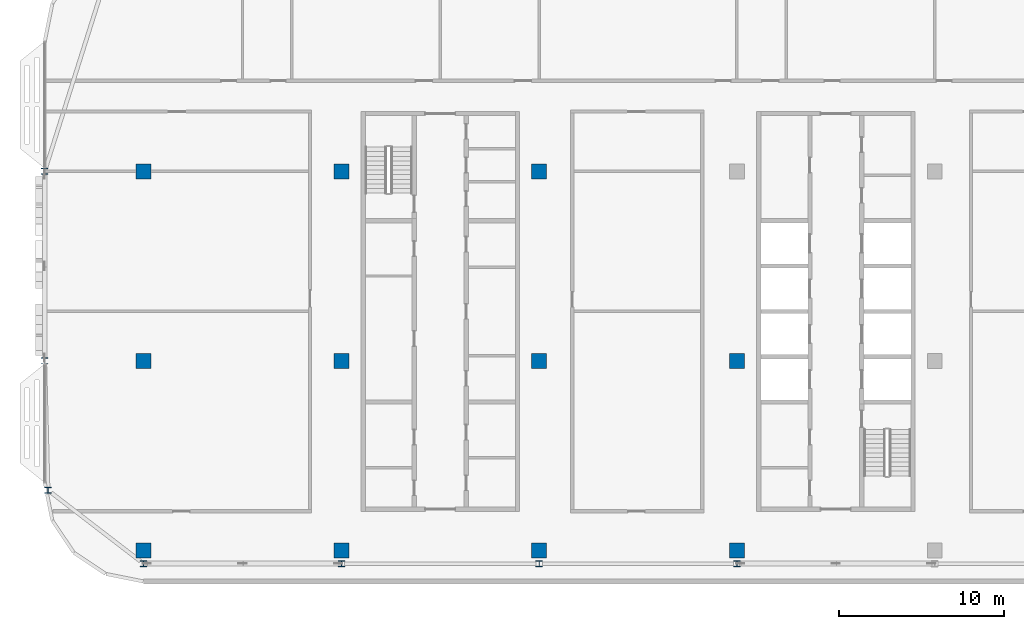
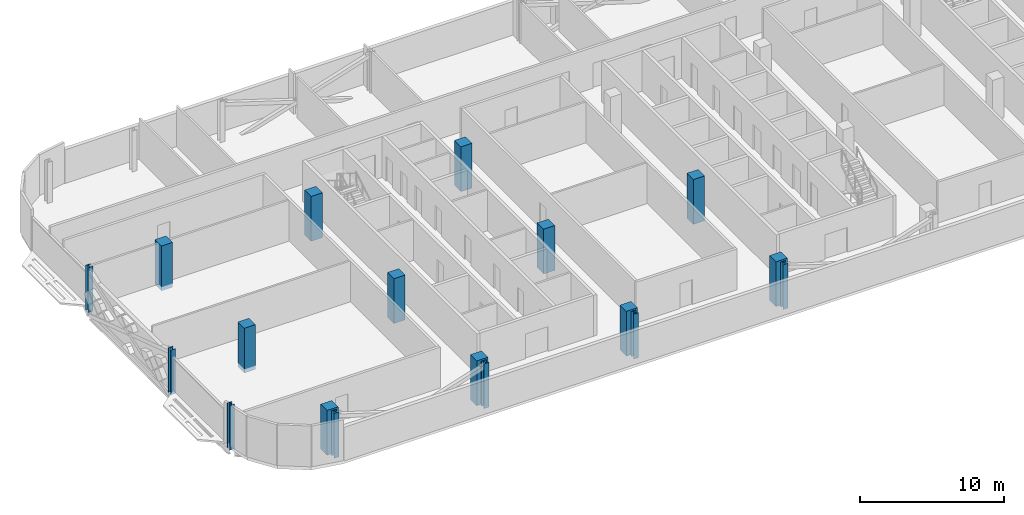
# One storey, part 1 of 28: 18 columns.
"""IFC4 building model written with IfcOpenShell, lengths in metres."""

import ifcopenshell
import ifcopenshell.guid

model = None  # the IFC model being written
_history = None  # IfcOwnerHistory: only IFC2X3 demands one
_inside = {}  # id of a spatial element -> (the spatial element, [elements in it])
_under = {}  # id of a project, library or spatial element -> (it, [spatial elements below it])
_declared = {}  # id of a project -> (the project, [libraries it declares])
_typed = {}  # id of a type object -> (the type object, [elements of that type])
_made_of = {}  # id of a material, layer set ... -> (it, [elements and type objects made of it])


def new_model(schema):
    """Start an empty IFC model of exactly this schema.

    Asked for "IFC4X3", IfcOpenShell would pick the latest addendum, in which some entities
    have other attributes; the version numbers below select the first issue.
    IFC2X3 requires an IfcOwnerHistory on every rooted entity: one is made here for all.
    """
    global model, _history
    if schema == "IFC4X3":
        model = ifcopenshell.file(schema_version=(4, 3, 0, 0))
    else:
        model = ifcopenshell.file(schema=schema)
    _inside.clear()
    _under.clear()
    _declared.clear()
    _typed.clear()
    _made_of.clear()
    _history = None
    if model.schema == "IFC2X3":
        org = make("IfcOrganization", Name="unknown")
        user = make(
            "IfcPersonAndOrganization",
            ThePerson=make("IfcPerson", FamilyName="unknown"),
            TheOrganization=org,
        )
        app = make(
            "IfcApplication",
            ApplicationDeveloper=org,
            Version="unknown",
            ApplicationFullName="unknown",
            ApplicationIdentifier="unknown",
        )
        _history = make(
            "IfcOwnerHistory",
            OwningUser=user,
            OwningApplication=app,
            ChangeAction="ADDED",
            CreationDate=0,
        )
    return model


def make(cls, **values):
    """One entity of the class cls with the attributes given. An attribute that is None is left unset."""
    return model.create_entity(
        cls, **{name: value for name, value in values.items() if value is not None}
    )


def rooted(cls, **values):
    """An entity with a GlobalId (a new one), such as an element, a storey or a relation."""
    return make(cls, GlobalId=ifcopenshell.guid.new(), OwnerHistory=_history, **values)


def si_unit(unit_type, name, prefix=None):
    """IfcSIUnit, for example si_unit("LENGTHUNIT", "METRE", prefix="MILLI")."""
    return make("IfcSIUnit", UnitType=unit_type, Prefix=prefix, Name=name)


def assignment(units):
    """IfcUnitAssignment: the units of a project."""
    return None if units is None else make("IfcUnitAssignment", Units=units)


def point(xyz):
    """IfcCartesianPoint."""
    return None if xyz is None else make("IfcCartesianPoint", Coordinates=xyz)


def direction(xyz):
    """IfcDirection."""
    return None if xyz is None else make("IfcDirection", DirectionRatios=xyz)


def frame(location, z_axis=None, x_axis=None):
    """IfcAxis2Placement3D, a coordinate frame: its origin and axes. An axis left out is left unset."""
    return make(
        "IfcAxis2Placement3D",
        Location=point(location),
        Axis=direction(z_axis),
        RefDirection=direction(x_axis),
    )


def frame_2d(location, x_axis=None):
    """IfcAxis2Placement2D, a coordinate frame in the plane: its origin and x axis."""
    return make(
        "IfcAxis2Placement2D", Location=point(location), RefDirection=direction(x_axis)
    )


def origin():
    """The frame at (0, 0, 0) with its axes left unset."""
    return frame((0.0, 0.0, 0.0))


def origin_2d():
    """The frame at (0, 0) in the plane with its x axis left unset."""
    return frame_2d((0.0, 0.0))


def place(relative_to, where):
    """IfcLocalPlacement: puts the frame where relative to a parent placement (None: the world)."""
    return make(
        "IfcLocalPlacement", PlacementRelTo=relative_to, RelativePlacement=where
    )


def context(
    kind, dimensions, precision=None, world=None, true_north=None, identifier=None
):
    """IfcGeometricRepresentationContext, for example the 3D "Model" context."""
    return make(
        "IfcGeometricRepresentationContext",
        ContextIdentifier=identifier,
        ContextType=kind,
        CoordinateSpaceDimension=dimensions,
        Precision=precision,
        WorldCoordinateSystem=world,
        TrueNorth=true_north,
    )


def subcontext(parent, identifier, kind, view, scale=None):
    """IfcGeometricRepresentationSubContext, for example "Body" below "Model"."""
    return make(
        "IfcGeometricRepresentationSubContext",
        ContextIdentifier=identifier,
        ContextType=kind,
        ParentContext=parent,
        TargetScale=scale,
        TargetView=view,
    )


def project(units=None, contexts=None):
    """IfcProject with its units and contexts."""
    return rooted(
        "IfcProject",
        Name="project",
        RepresentationContexts=contexts,
        UnitsInContext=assignment(units),
    )


def spatial(cls, under=None, at=None, **own):
    """A site, building, storey or space (cls), placed at a placement, below another one or the project."""
    s = rooted(cls, ObjectPlacement=at, **own)
    if under is not None:
        _under.setdefault(under.id(), (under, []))[1].append(s)
    return s


def profile(cls, at=None, kind="AREA", **sizes):
    """A parametric profile (cls). Its sizes go by their IFC names, for example OverallWidth=200.0."""
    return make(cls, ProfileType=kind, Position=at, **sizes)


def rectangle(**sizes):
    """IfcRectangleProfileDef."""
    return profile("IfcRectangleProfileDef", **sizes)


def i_section(**sizes):
    """IfcIShapeProfileDef."""
    return profile("IfcIShapeProfileDef", **sizes)


def extrude(swept, where, along, depth):
    """IfcExtrudedAreaSolid: the profile swept, set in the frame where, extruded along a direction by depth."""
    return make(
        "IfcExtrudedAreaSolid",
        SweptArea=swept,
        Position=where,
        ExtrudedDirection=direction(along),
        Depth=depth,
    )


def shape(context_of_items, identifier, shape_type, items):
    """IfcShapeRepresentation: the items that make up one representation, for example the "Body"."""
    return make(
        "IfcShapeRepresentation",
        ContextOfItems=context_of_items,
        RepresentationIdentifier=identifier,
        RepresentationType=shape_type,
        Items=items,
    )


def material(Name=None, Category=None):
    """IfcMaterial."""
    return make("IfcMaterial", Name=Name, Category=Category)


def material_profile(
    of_material, cross_section, Name=None, Category=None, Priority=None
):
    """IfcMaterialProfile: a cross section and its material."""
    return make(
        "IfcMaterialProfile",
        Name=Name,
        Material=of_material,
        Profile=cross_section,
        Priority=Priority,
        Category=Category,
    )


def profile_set(profiles, Name=None, composite=None):
    """IfcMaterialProfileSet."""
    return make(
        "IfcMaterialProfileSet",
        Name=Name,
        MaterialProfiles=profiles,
        CompositeProfile=composite,
    )


def made_of(thing, what):
    """Note that an element or type object is made of a material, layer set ...; save() writes the relation."""
    if what is not None:
        _made_of.setdefault(what.id(), (what, []))[1].append(thing)
    return thing


def type_object(cls, material=None, **own):
    """A type object (cls), such as IfcWallType, which elements share."""
    return made_of(rooted(cls, **own), material)


def element(
    cls,
    number,
    at=None,
    inside=None,
    cuts=None,
    type_object=None,
    material=None,
    context=None,
    identifier="Body",
    shape_type=None,
    held_by="IfcProductDefinitionShape",
    body=None,
    shapes=None,
    **own,
):
    """One element of the class cls, such as IfcWall. Its Tag is "e" and its number.

    at: its placement. inside: the storey or other place that contains it. cuts: it is an
    opening in that element (IfcRelVoidsElement). A single representation is given by context,
    identifier, shape_type and body (its items); several are given by shapes. held_by: the class
    of the entity that holds the representations. save() writes the other relations.
    """
    e = rooted(cls, Tag="e%d" % number, ObjectPlacement=at, **own)
    if body is not None:
        shapes = [shape(context, identifier, shape_type, body)]
    if shapes is not None:
        e.Representation = make(held_by, Representations=shapes)
    if inside is not None:
        _inside.setdefault(inside.id(), (inside, []))[1].append(e)
    if cuts is not None:
        rooted(
            "IfcRelVoidsElement", RelatingBuildingElement=cuts, RelatedOpeningElement=e
        )
    if type_object is not None:
        _typed.setdefault(type_object.id(), (type_object, []))[1].append(e)
    return made_of(e, material)


def aggregate(whole, parts):
    """IfcRelAggregates: a whole, such as a stair, and the parts it consists of."""
    return rooted("IfcRelAggregates", RelatingObject=whole, RelatedObjects=parts)


def save(model, path):
    """Write the relations noted so far, then the file.

    IfcRelAggregates (storeys below a building ...), IfcRelContainedInSpatialStructure (elements
    in a storey), IfcRelDefinesByType, IfcRelAssociatesMaterial and IfcRelDeclares: one each for
    every whole, place, type object, material and project.
    """
    for whole, parts in _under.values():
        aggregate(whole, parts)
    for where, things in _inside.values():
        rooted(
            "IfcRelContainedInSpatialStructure",
            RelatedElements=things,
            RelatingStructure=where,
        )
    for kind, things in _typed.values():
        rooted("IfcRelDefinesByType", RelatedObjects=things, RelatingType=kind)
    for what, things in _made_of.values():
        rooted("IfcRelAssociatesMaterial", RelatedObjects=things, RelatingMaterial=what)
    for by, libraries in _declared.values():
        rooted("IfcRelDeclares", RelatingContext=by, RelatedDefinitions=libraries)
    model.write(path)


model = new_model("IFC4")

# Units and contexts
model_context = context("Model", 3, precision=1e-05, world=origin(), true_north=direction((0.0, 1.0)))
body_context = subcontext(model_context, "Body", "Model", "MODEL_VIEW")
ifc_project = project(units=[si_unit("LENGTHUNIT", "METRE"), si_unit("AREAUNIT", "SQUARE_METRE"), si_unit("VOLUMEUNIT", "CUBIC_METRE"), si_unit("PLANEANGLEUNIT", "RADIAN"), si_unit("MASSUNIT", "GRAM", prefix="KILO")], contexts=[model_context])

# Site, building, storey
site_placement = place(None, origin())
site = spatial("IfcSite", under=ifc_project, at=site_placement, CompositionType="ELEMENT")
building_placement = place(site_placement, origin())
building = spatial("IfcBuilding", under=site, at=building_placement, Name="Mahtab Terrace Research Tower", CompositionType="ELEMENT")
storey_placement = place(building_placement, frame((0.0, 0.0, 270.89990234375)))
storey = spatial("IfcBuildingStorey", under=building, at=storey_placement, Name="L66", CompositionType="ELEMENT", Elevation=270.89990234375)

# Columns
ifc_material_1 = material(Name="Concrete C70/85", Category="concrete")
ifc_material_profile_1 = material_profile(ifc_material_1, rectangle(XDim=0.89990234375, YDim=0.89990234375, at=origin_2d()), Name="RC column 900x900")
ifc_profile_set_1 = profile_set([ifc_material_profile_1], Name="Concrete C70/85")
column_type_1 = type_object("IfcColumnType", Name="RC column 900x900", PredefinedType="COLUMN", material=ifc_profile_set_1)
for number, where, z_axis, x_axis, name in (
    (1, (-42.0, -11.5, -0.33984375), (0.0, 0.0, 1.0), (1.0, 0.0, 0.0), "Column RC-1A L66"),
    (2, (-42.0, 0.0, -0.33984375), (0.0, 0.0, 1.0), (1.0, 0.0, 0.0), "Column RC-1B L66"),
    (3, (-42.0, 11.5, -0.33984375), (0.0, 0.0, 1.0), (1.0, 0.0, 0.0), "Column RC-1C L66"),
    (4, (-30.0, -11.5, -0.33984375), (0.0, 0.0, 1.0), (1.0, 0.0, 0.0), "Column RC-2A L66"),
    (5, (-30.0, 0.0, -0.33984375), (0.0, 0.0, 1.0), (1.0, 0.0, 0.0), "Column RC-2B L66"),
    (6, (-30.0, 11.5, -0.33984375), (0.0, 0.0, 1.0), (1.0, 0.0, 0.0), "Column RC-2C L66"),
    (7, (-18.0, -11.5, -0.33984375), (0.0, 0.0, 1.0), (1.0, 0.0, 0.0), "Column RC-3A L66"),
    (8, (-18.0, 0.0, -0.33984375), (0.0, 0.0, 1.0), (1.0, 0.0, 0.0), "Column RC-3B L66"),
    (9, (-18.0, 11.5, -0.33984375), (0.0, 0.0, 1.0), (1.0, 0.0, 0.0), "Column RC-3C L66"),
    (10, (-6.0, -11.5, -0.33984375), (0.0, 0.0, 1.0), (1.0, 0.0, 0.0), "Column RC-4A L66"),
    (11, (-6.0, 0.0, -0.33984375), (0.0, 0.0, 1.0), (1.0, 0.0, 0.0), "Column RC-4B L66"),
):
    element("IfcColumn", number, at=place(storey_placement, frame(where, z_axis=z_axis, x_axis=x_axis)), inside=storey, type_object=column_type_1, Name=name, PredefinedType="COLUMN", context=body_context, shape_type="SweptSolid", body=[
        extrude(rectangle(XDim=0.89990234375, YDim=0.89990234375, at=origin_2d()), origin(), (0.0, 0.0, 1.0), 3.800048828125),
    ])
ifc_material_2 = material(Name="Steel ASTM A992 Gr 50", Category="steel")
ifc_material_profile_2 = material_profile(ifc_material_2, i_section(OverallWidth=0.393798828125, OverallDepth=0.3759765625, WebThickness=0.017333984375, FlangeThickness=0.027587890625, at=origin_2d()), Name="W14X145")
ifc_profile_set_2 = profile_set([ifc_material_profile_2], Name="Steel ASTM A992 Gr 50")
column_type_2 = type_object("IfcColumnType", Name="W14x145 column CS14145", PredefinedType="COLUMN", material=ifc_profile_set_2)
for number, where, z_axis, x_axis, name in (
    (12, (-48.0, 11.5, -0.33984375), (0.0, 0.0, 1.0), (1.0, 0.0, 0.0), "Column SC-009 L66"),
    (13, (-48.0, 0.0, -0.33984375), (0.0, 0.0, 1.0), (1.0, 0.0, 0.0), "Column SC-010 L66"),
    (14, (-47.798095703125, -7.847900390625, -0.33984375), (0.0, 0.0, 1.0), (1.0, 0.0, 0.0), "Column SC-080 L66"),
    (15, (-42.0, -12.306884765625, -0.33984375), (0.0, 0.0, 1.0), (1.0, 0.0, 0.0), "Column SC-081 L66"),
    (16, (-30.0, -12.306884765625, -0.33984375), (0.0, 0.0, 1.0), (1.0, 0.0, 0.0), "Column SC-082 L66"),
    (17, (-18.0, -12.306884765625, -0.33984375), (0.0, 0.0, 1.0), (1.0, 0.0, 0.0), "Column SC-083 L66"),
    (18, (-6.0, -12.306884765625, -0.33984375), (0.0, 0.0, 1.0), (1.0, 0.0, 0.0), "Column SC-084 L66"),
):
    element("IfcColumn", number, at=place(storey_placement, frame(where, z_axis=z_axis, x_axis=x_axis)), inside=storey, type_object=column_type_2, Name=name, PredefinedType="COLUMN", context=body_context, shape_type="SweptSolid", body=[
        extrude(i_section(OverallWidth=0.393798828125, OverallDepth=0.3759765625, WebThickness=0.017333984375, FlangeThickness=0.027587890625, at=origin_2d()), origin(), (0.0, 0.0, 1.0), 3.800048828125),
    ])

save(model, "model.ifc")
